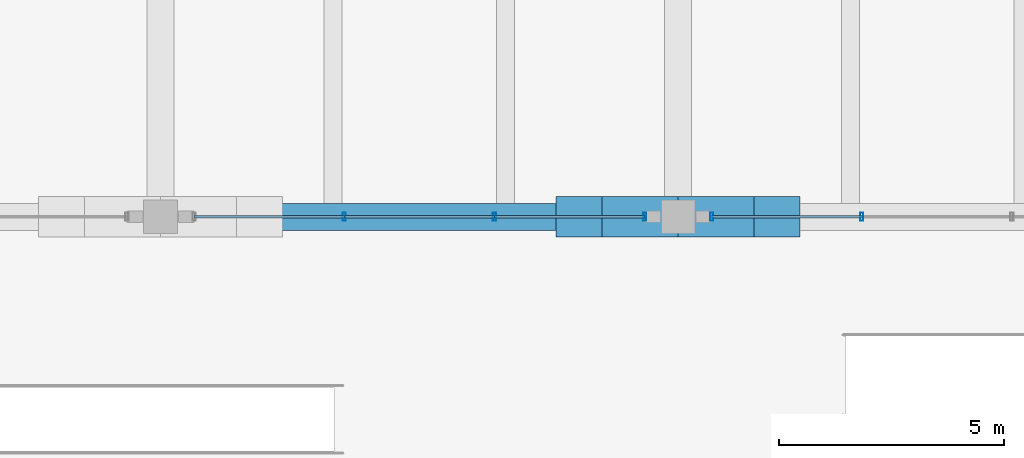
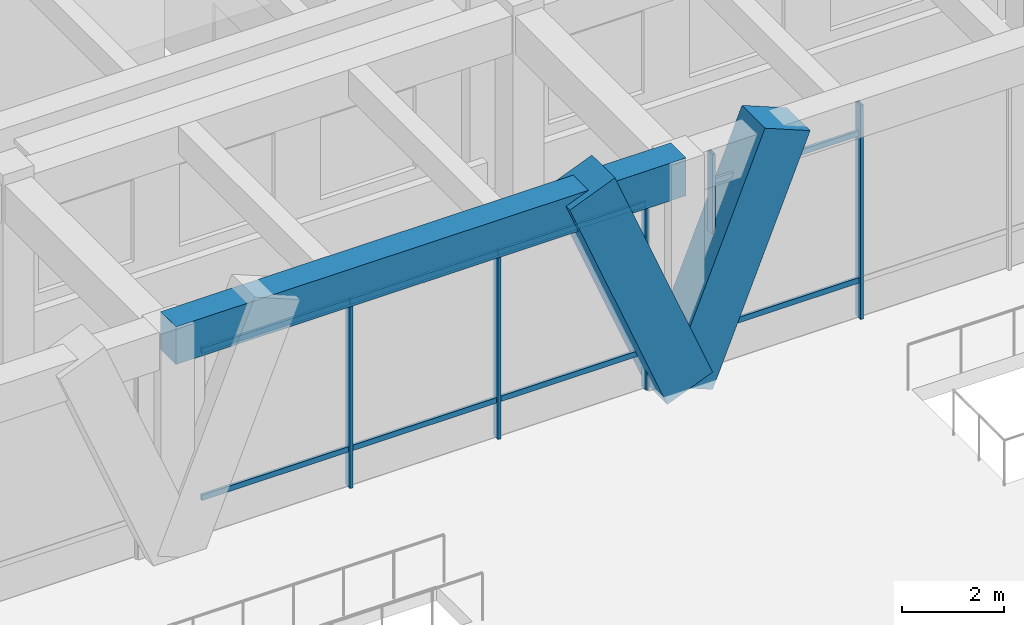
# One storey, part 57 of 148: 15 members, 1 beam, 2 elements without a shape of their own.
"""IFC4 building model written with IfcOpenShell, lengths in metres."""

from ifc_helpers import new_model, si_unit, direction, frame, origin, origin_2d, place, context, subcontext, project, spatial, rectangle, hollow_rectangle, extrude, material, material_profile, profile_set, type_object, element, aggregate, save


model = new_model("IFC4")

# Units and contexts
model_context = context("Model", 3, precision=1e-05, world=origin(), true_north=direction((0.0, 1.0)))
body_context = subcontext(model_context, "Body", "Model", "MODEL_VIEW")
ifc_project = project(units=[si_unit("LENGTHUNIT", "METRE"), si_unit("AREAUNIT", "SQUARE_METRE"), si_unit("VOLUMEUNIT", "CUBIC_METRE"), si_unit("PLANEANGLEUNIT", "RADIAN"), si_unit("MASSUNIT", "GRAM", prefix="KILO")], contexts=[model_context])

# Site, building, storey
site_placement = place(None, origin())
site = spatial("IfcSite", under=ifc_project, at=site_placement, CompositionType="ELEMENT")
building_placement = place(site_placement, origin())
building = spatial("IfcBuilding", under=site, at=building_placement, Name="Ologun Quay Terminus", CompositionType="ELEMENT")
storey_placement = place(building_placement, frame((0.0, 0.0, 8.39990234375)))
storey = spatial("IfcBuildingStorey", under=building, at=storey_placement, Name="L02", CompositionType="ELEMENT", Elevation=8.39990234375)

# Curtain wall, members
ifc_material_1 = material(Name="Aluminium 6063-T6", Category="aluminium")
curtain_wall_type = type_object("IfcCurtainWallType", Name="Train Shed North Clerestory Curtain Wall 10700x4850", PredefinedType="USERDEFINED", material=ifc_material_1)
curtain_wall_1_placement = place(storey_placement, origin())
curtain_wall_1 = element("IfcCurtainWall", 1, at=curtain_wall_1_placement, inside=storey, type_object=curtain_wall_type, Name="CW-09 Curtain Wall CW-L02-053", ObjectType="UNITISED CURTAIN WALL", PredefinedType="USERDEFINED")
ifc_material_2 = material(Name="Aluminium 6063-T6", Category="aluminium")
ifc_material_profile_1 = material_profile(ifc_material_2, hollow_rectangle(XDim=0.070068359375, YDim=0.179931640625, WallThickness=0.0048828125, at=origin_2d()), Name="ALU 180x70x5")
ifc_profile_set_1 = profile_set([ifc_material_profile_1], Name="Aluminium 6063-T6")
member_type_1 = type_object("IfcMemberType", Name="Concourse Clerestory Mullion 180x70", PredefinedType="MULLION", material=ifc_profile_set_1)
member_1_placement = place(storey_placement, frame((50.081787109375, 78.0, 0.0), z_axis=(0.0, 0.0, 1.0), x_axis=(1.0, 0.0, 0.0)))
member_1 = element("IfcMember", 2, at=member_1_placement, type_object=member_type_1, Name="CW-L02-053 Mullion 2", PredefinedType="MULLION", context=body_context, shape_type="SweptSolid", body=[
    extrude(hollow_rectangle(XDim=0.070068359375, YDim=0.179931640625, WallThickness=0.0048828125, at=origin_2d()), origin(), (0.0, 0.0, 1.0), 5.10009765625),
])
member_2_placement = place(storey_placement, frame((53.418212890625, 78.0, 0.0), z_axis=(0.0, 0.0, 1.0), x_axis=(1.0, 0.0, 0.0)))
member_2 = element("IfcMember", 3, at=member_2_placement, type_object=member_type_1, Name="CW-L02-053 Mullion 3", PredefinedType="MULLION", context=body_context, shape_type="SweptSolid", body=[
    extrude(hollow_rectangle(XDim=0.070068359375, YDim=0.179931640625, WallThickness=0.0048828125, at=origin_2d()), origin(), (0.0, 0.0, 1.0), 5.10009765625),
])
member_3_placement = place(storey_placement, frame((56.7548828125, 78.0, 0.0), z_axis=(0.0, 0.0, 1.0), x_axis=(1.0, 0.0, 0.0)))
member_3 = element("IfcMember", 4, at=member_3_placement, type_object=member_type_1, Name="CW-L02-053 Mullion 4", PredefinedType="MULLION", context=body_context, shape_type="SweptSolid", body=[
    extrude(hollow_rectangle(XDim=0.070068359375, YDim=0.179931640625, WallThickness=0.0048828125, at=origin_2d()), origin(), (0.0, 0.0, 1.0), 5.10009765625),
])

curtain_wall_2_placement = place(storey_placement, origin())
curtain_wall_2 = element("IfcCurtainWall", 5, at=curtain_wall_2_placement, inside=storey, type_object=curtain_wall_type, Name="CW-09 Curtain Wall CW-L02-055", ObjectType="UNITISED CURTAIN WALL", PredefinedType="USERDEFINED")
member_4_placement = place(storey_placement, frame((58.2451171875, 78.0, 0.0), z_axis=(0.0, 0.0, 1.0), x_axis=(1.0, 0.0, 0.0)))
member_4 = element("IfcMember", 6, at=member_4_placement, type_object=member_type_1, Name="CW-L02-055 Mullion 1", PredefinedType="MULLION", context=body_context, shape_type="SweptSolid", body=[
    extrude(hollow_rectangle(XDim=0.070068359375, YDim=0.179931640625, WallThickness=0.0048828125, at=origin_2d()), origin(), (0.0, 0.0, 1.0), 5.10009765625),
])
member_5_placement = place(storey_placement, frame((61.581787109375, 78.0, 0.0), z_axis=(0.0, 0.0, 1.0), x_axis=(1.0, 0.0, 0.0)))
member_5 = element("IfcMember", 7, at=member_5_placement, type_object=member_type_1, Name="CW-L02-055 Mullion 2", PredefinedType="MULLION", context=body_context, shape_type="SweptSolid", body=[
    extrude(hollow_rectangle(XDim=0.070068359375, YDim=0.179931640625, WallThickness=0.0048828125, at=origin_2d()), origin(), (0.0, 0.0, 1.0), 5.10009765625),
])

# Member
ifc_material_3 = material(Name="Aluminium 6063-T6", Category="aluminium")
ifc_material_profile_2 = material_profile(ifc_material_3, hollow_rectangle(XDim=0.06005859375, YDim=0.1298828125, WallThickness=0.00390625, at=origin_2d()), Name="ALU 130x60x4")
ifc_profile_set_2 = profile_set([ifc_material_profile_2], Name="Aluminium 6063-T6")
member_type_2 = type_object("IfcMemberType", Name="Concourse Clerestory Transom 130x60", PredefinedType="USERDEFINED", material=ifc_profile_set_2)
member_6_placement = place(storey_placement, frame((46.7451171875, 78.0, 0.900146484375), z_axis=(1.0, 0.0, 0.0), x_axis=(0.0, 1.0, 0.0)))
member_6 = element("IfcMember", 8, at=member_6_placement, type_object=member_type_2, Name="CW-L02-053 Transom B1-1", ObjectType="TRANSOM", PredefinedType="USERDEFINED", context=body_context, shape_type="SweptSolid", body=[
    extrude(hollow_rectangle(XDim=0.06005859375, YDim=0.1298828125, WallThickness=0.00390625, at=origin_2d()), origin(), (0.0, 0.0, 1.0), 3.336669921875),
])

member_7_placement = place(storey_placement, frame((46.7451171875, 78.0, 4.400146484375), z_axis=(1.0, 0.0, 0.0), x_axis=(0.0, 1.0, 0.0)))
member_7 = element("IfcMember", 9, at=member_7_placement, type_object=member_type_2, Name="CW-L02-053 Transom B1-2", ObjectType="TRANSOM", PredefinedType="USERDEFINED", context=body_context, shape_type="SweptSolid", body=[
    extrude(hollow_rectangle(XDim=0.06005859375, YDim=0.1298828125, WallThickness=0.00390625, at=origin_2d()), origin(), (0.0, 0.0, 1.0), 3.336669921875),
])

member_8_placement = place(storey_placement, frame((50.081787109375, 78.0, 0.900146484375), z_axis=(1.0, 0.0, 0.0), x_axis=(0.0, 1.0, 0.0)))
member_8 = element("IfcMember", 10, at=member_8_placement, type_object=member_type_2, Name="CW-L02-053 Transom B2-1", ObjectType="TRANSOM", PredefinedType="USERDEFINED", context=body_context, shape_type="SweptSolid", body=[
    extrude(hollow_rectangle(XDim=0.06005859375, YDim=0.1298828125, WallThickness=0.00390625, at=origin_2d()), origin(), (0.0, 0.0, 1.0), 3.33642578125),
])

member_9_placement = place(storey_placement, frame((50.081787109375, 78.0, 4.400146484375), z_axis=(1.0, 0.0, 0.0), x_axis=(0.0, 1.0, 0.0)))
member_9 = element("IfcMember", 11, at=member_9_placement, type_object=member_type_2, Name="CW-L02-053 Transom B2-2", ObjectType="TRANSOM", PredefinedType="USERDEFINED", context=body_context, shape_type="SweptSolid", body=[
    extrude(hollow_rectangle(XDim=0.06005859375, YDim=0.1298828125, WallThickness=0.00390625, at=origin_2d()), origin(), (0.0, 0.0, 1.0), 3.33642578125),
])

member_10_placement = place(storey_placement, frame((53.418212890625, 78.0, 0.900146484375), z_axis=(1.0, 0.0, 0.0), x_axis=(0.0, 1.0, 0.0)))
member_10 = element("IfcMember", 12, at=member_10_placement, type_object=member_type_2, Name="CW-L02-053 Transom B3-1", ObjectType="TRANSOM", PredefinedType="USERDEFINED", context=body_context, shape_type="SweptSolid", body=[
    extrude(hollow_rectangle(XDim=0.06005859375, YDim=0.1298828125, WallThickness=0.00390625, at=origin_2d()), origin(), (0.0, 0.0, 1.0), 3.336669921875),
])

member_11_placement = place(storey_placement, frame((53.418212890625, 78.0, 4.400146484375), z_axis=(1.0, 0.0, 0.0), x_axis=(0.0, 1.0, 0.0)))
member_11 = element("IfcMember", 13, at=member_11_placement, type_object=member_type_2, Name="CW-L02-053 Transom B3-2", ObjectType="TRANSOM", PredefinedType="USERDEFINED", context=body_context, shape_type="SweptSolid", body=[
    extrude(hollow_rectangle(XDim=0.06005859375, YDim=0.1298828125, WallThickness=0.00390625, at=origin_2d()), origin(), (0.0, 0.0, 1.0), 3.336669921875),
])

aggregate(curtain_wall_1, [member_1, member_2, member_3, member_6, member_7, member_8, member_9, member_10, member_11])

member_12_placement = place(storey_placement, frame((58.2451171875, 78.0, 0.900146484375), z_axis=(1.0, 0.0, 0.0), x_axis=(0.0, 1.0, 0.0)))
member_12 = element("IfcMember", 14, at=member_12_placement, type_object=member_type_2, Name="CW-L02-055 Transom B1-1", ObjectType="TRANSOM", PredefinedType="USERDEFINED", context=body_context, shape_type="SweptSolid", body=[
    extrude(hollow_rectangle(XDim=0.06005859375, YDim=0.1298828125, WallThickness=0.00390625, at=origin_2d()), origin(), (0.0, 0.0, 1.0), 3.336669921875),
])

member_13_placement = place(storey_placement, frame((58.2451171875, 78.0, 4.400146484375), z_axis=(1.0, 0.0, 0.0), x_axis=(0.0, 1.0, 0.0)))
member_13 = element("IfcMember", 15, at=member_13_placement, type_object=member_type_2, Name="CW-L02-055 Transom B1-2", ObjectType="TRANSOM", PredefinedType="USERDEFINED", context=body_context, shape_type="SweptSolid", body=[
    extrude(hollow_rectangle(XDim=0.06005859375, YDim=0.1298828125, WallThickness=0.00390625, at=origin_2d()), origin(), (0.0, 0.0, 1.0), 3.336669921875),
])

aggregate(curtain_wall_2, [member_4, member_5, member_12, member_13])

# Members
ifc_material_4 = material(Name="Concrete C45/55", Category="concrete")
ifc_material_profile_3 = material_profile(ifc_material_4, rectangle(XDim=0.89990234375, YDim=1.10009765625, at=origin_2d()), Name="RC 900x1100")
ifc_profile_set_3 = profile_set([ifc_material_profile_3], Name="Concrete C45/55")
member_type_3 = type_object("IfcMemberType", Name="Sculpted Concrete Arch V-Buttress Strut 900x1100", PredefinedType="STRUT", material=ifc_profile_set_3)
for number, where, z_axis, x_axis, name in (
    (16, (57.5, 78.0, 0.0), (-0.377280927807, 0.0, 0.926098861631), (0.0, -1.0, 0.0), "VS1 Arch V-Buttress West Limb 6/F"),
    (17, (57.5, 78.0, 0.0), (0.377280927807, 0.0, 0.926098861631), (0.0, 1.0, 0.0), "VS1 Arch V-Buttress East Limb 6/F"),
):
    element("IfcMember", number, at=place(storey_placement, frame(where, z_axis=z_axis, x_axis=x_axis)), inside=storey, type_object=member_type_3, Name=name, PredefinedType="STRUT", context=body_context, shape_type="SweptSolid", body=[
        extrude(rectangle(XDim=0.89990234375, YDim=1.10009765625, at=origin_2d()), origin(), (0.0, 0.0, 1.0), 5.8310546875),
    ])

# Beam
ifc_material_5 = material(Name="Concrete C40/50", Category="concrete")
ifc_material_profile_4 = material_profile(ifc_material_5, rectangle(XDim=0.60009765625, YDim=0.89990234375, at=origin_2d()), Name="RC 600x900")
ifc_profile_set_4 = profile_set([ifc_material_profile_4], Name="Concrete C40/50")
beam_type = type_object("IfcBeamType", Name="Station Frame Girder 600x900", PredefinedType="BEAM", material=ifc_profile_set_4)
beam_placement = place(storey_placement, frame((46.0, 78.0, 4.9501953125), z_axis=(1.0, 0.0, 0.0), x_axis=(0.0, 1.0, 0.0)))
element("IfcBeam", 18, at=beam_placement, inside=storey, type_object=beam_type, Name="B3 Beam 5/F L02", PredefinedType="BEAM", context=body_context, shape_type="SweptSolid", body=[
    extrude(rectangle(XDim=0.60009765625, YDim=0.89990234375, at=origin_2d()), origin(), (0.0, 0.0, 1.0), 11.5),
])

save(model, "model.ifc")
